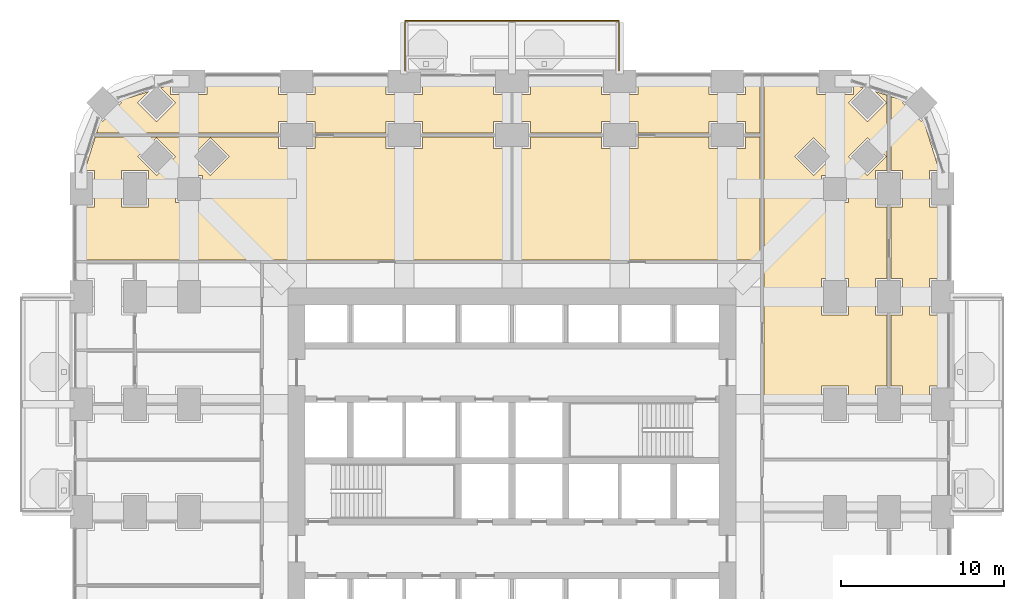
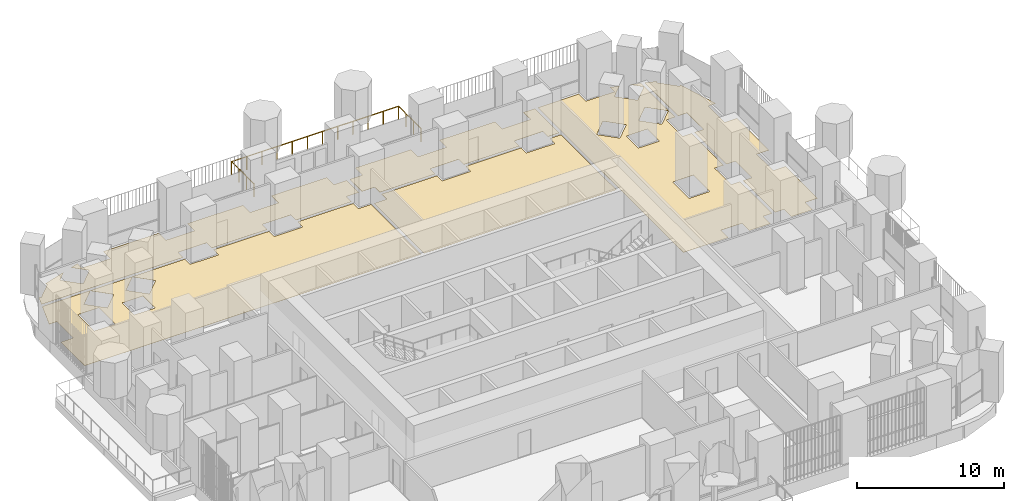
# One storey, part 23 of 24: 6 coverings, 1 railing.
"""IFC4 building model written with IfcOpenShell, lengths in metres."""

from ifc_helpers import new_model, si_unit, direction, frame, origin, place, context, subcontext, project, spatial, polyline, outline, extrude, material, layer, layer_set, type_object, element, save


model = new_model("IFC4")

# Units and contexts
model_context = context("Model", 3, precision=1e-05, world=origin(), true_north=direction((0.0, 1.0)))
body_context = subcontext(model_context, "Body", "Model", "MODEL_VIEW")
ifc_project = project(units=[si_unit("LENGTHUNIT", "METRE"), si_unit("AREAUNIT", "SQUARE_METRE"), si_unit("VOLUMEUNIT", "CUBIC_METRE"), si_unit("PLANEANGLEUNIT", "RADIAN"), si_unit("MASSUNIT", "GRAM", prefix="KILO")], contexts=[model_context])

# Site, building, storey
site_placement = place(None, origin())
site = spatial("IfcSite", under=ifc_project, at=site_placement, CompositionType="ELEMENT")
building_placement = place(site_placement, origin())
building = spatial("IfcBuilding", under=site, at=building_placement, Name="Cobogo Forest Laboratory Tower", CompositionType="ELEMENT")
storey_placement = place(building_placement, frame((0.0, 0.0, 17.10009765625)))
storey = spatial("IfcBuildingStorey", under=building, at=storey_placement, Name="L03", CompositionType="ELEMENT", Elevation=17.10009765625)

# Railing
ifc_material_1 = material(Name="Laminated glass balustrade", Category="glass")
railing_type = type_object("IfcRailingType", Name="BG1 glass balustrade 1100", PredefinedType="GUARDRAIL", material=ifc_material_1)
railing_placement = place(storey_placement, frame((19.85009765625, 46.85009765625, 0.0)))
element("IfcRailing", 1, at=railing_placement, inside=storey, type_object=railing_type, Name="Balcony balustrade BAL-N1 L03", PredefinedType="GUARDRAIL", context=body_context, shape_type="SweptSolid", body=[
    extrude(outline(polyline([(0.022216796875, 0.00927734375), (0.00927734375, 0.022216796875), (-0.00927734375, 0.022216796875), (-0.022216796875, 0.00927734375), (-0.022216796875, -0.00927734375), (-0.00927734375, -0.022216796875), (0.00927734375, -0.022216796875), (0.022216796875, -0.00927734375), (0.022216796875, 0.00927734375)])), frame((0.0, 0.0, 1.077880859375), z_axis=(0.0, 1.0, 0.0), x_axis=(-1.0, 0.0, 0.0)), (0.0, 0.0, 1.0), 3.0498046875),
    extrude(outline(polyline([(0.022216796875, 0.00927734375), (0.00927734375, 0.022216796875), (-0.00927734375, 0.022216796875), (-0.022216796875, 0.00927734375), (-0.022216796875, -0.00927734375), (-0.00927734375, -0.022216796875), (0.00927734375, -0.022216796875), (0.022216796875, -0.00927734375), (0.022216796875, 0.00927734375)])), frame((0.0, 3.0498046875, 1.077880859375), z_axis=(1.0, 0.0, 0.0), x_axis=(0.0, 1.0, 0.0)), (0.0, 0.0, 1.0), 13.099853515625),
    extrude(outline(polyline([(0.022216796875, 0.00927734375), (0.00927734375, 0.022216796875), (-0.00927734375, 0.022216796875), (-0.022216796875, 0.00927734375), (-0.022216796875, -0.00927734375), (-0.00927734375, -0.022216796875), (0.00927734375, -0.022216796875), (0.022216796875, -0.00927734375), (0.022216796875, 0.00927734375)])), frame((13.099853515625, 3.0498046875, 1.077880859375), z_axis=(0.0, -1.0, 0.0), x_axis=(1.0, 0.0, 0.0)), (0.0, 0.0, 1.0), 3.0498046875),
    extrude(outline(polyline([(0.019287109375, 0.008056640625), (0.008056640625, 0.019287109375), (-0.008056640625, 0.019287109375), (-0.019287109375, 0.008056640625), (-0.019287109375, -0.008056640625), (-0.008056640625, -0.019287109375), (0.008056640625, -0.019287109375), (0.019287109375, -0.008056640625), (0.019287109375, 0.008056640625)])), origin(), (0.0, 0.0, 1.0), 1.077880859375),
    extrude(outline(polyline([(0.019287109375, 0.008056640625), (0.008056640625, 0.019287109375), (-0.008056640625, 0.019287109375), (-0.019287109375, 0.008056640625), (-0.019287109375, -0.008056640625), (-0.008056640625, -0.019287109375), (0.008056640625, -0.019287109375), (0.019287109375, -0.008056640625), (0.019287109375, 0.008056640625)])), frame((0.0, 1.0166015625, 0.0)), (0.0, 0.0, 1.0), 1.077880859375),
    extrude(outline(polyline([(0.019287109375, 0.008056640625), (0.008056640625, 0.019287109375), (-0.008056640625, 0.019287109375), (-0.019287109375, 0.008056640625), (-0.019287109375, -0.008056640625), (-0.008056640625, -0.019287109375), (0.008056640625, -0.019287109375), (0.019287109375, -0.008056640625), (0.019287109375, 0.008056640625)])), frame((0.0, 2.033203125, 0.0)), (0.0, 0.0, 1.0), 1.077880859375),
    extrude(outline(polyline([(0.019287109375, 0.008056640625), (0.008056640625, 0.019287109375), (-0.008056640625, 0.019287109375), (-0.019287109375, 0.008056640625), (-0.019287109375, -0.008056640625), (-0.008056640625, -0.019287109375), (0.008056640625, -0.019287109375), (0.019287109375, -0.008056640625), (0.019287109375, 0.008056640625)])), frame((0.0, 3.0498046875, 0.0)), (0.0, 0.0, 1.0), 1.077880859375),
    extrude(outline(polyline([(0.019287109375, 0.008056640625), (0.008056640625, 0.019287109375), (-0.008056640625, 0.019287109375), (-0.019287109375, 0.008056640625), (-0.019287109375, -0.008056640625), (-0.008056640625, -0.019287109375), (0.008056640625, -0.019287109375), (0.019287109375, -0.008056640625), (0.019287109375, 0.008056640625)])), frame((1.19091796875, 3.0498046875, 0.0)), (0.0, 0.0, 1.0), 1.077880859375),
    extrude(outline(polyline([(0.019287109375, 0.008056640625), (0.008056640625, 0.019287109375), (-0.008056640625, 0.019287109375), (-0.019287109375, 0.008056640625), (-0.019287109375, -0.008056640625), (-0.008056640625, -0.019287109375), (0.008056640625, -0.019287109375), (0.019287109375, -0.008056640625), (0.019287109375, 0.008056640625)])), frame((2.3818359375, 3.0498046875, 0.0)), (0.0, 0.0, 1.0), 1.077880859375),
    extrude(outline(polyline([(0.019287109375, 0.008056640625), (0.008056640625, 0.019287109375), (-0.008056640625, 0.019287109375), (-0.019287109375, 0.008056640625), (-0.019287109375, -0.008056640625), (-0.008056640625, -0.019287109375), (0.008056640625, -0.019287109375), (0.019287109375, -0.008056640625), (0.019287109375, 0.008056640625)])), frame((3.57275390625, 3.0498046875, 0.0)), (0.0, 0.0, 1.0), 1.077880859375),
    extrude(outline(polyline([(0.019287109375, 0.008056640625), (0.008056640625, 0.019287109375), (-0.008056640625, 0.019287109375), (-0.019287109375, 0.008056640625), (-0.019287109375, -0.008056640625), (-0.008056640625, -0.019287109375), (0.008056640625, -0.019287109375), (0.019287109375, -0.008056640625), (0.019287109375, 0.008056640625)])), frame((4.763671875, 3.0498046875, 0.0)), (0.0, 0.0, 1.0), 1.077880859375),
    extrude(outline(polyline([(0.019287109375, 0.008056640625), (0.008056640625, 0.019287109375), (-0.008056640625, 0.019287109375), (-0.019287109375, 0.008056640625), (-0.019287109375, -0.008056640625), (-0.008056640625, -0.019287109375), (0.008056640625, -0.019287109375), (0.019287109375, -0.008056640625), (0.019287109375, 0.008056640625)])), frame((5.95458984375, 3.0498046875, 0.0)), (0.0, 0.0, 1.0), 1.077880859375),
    extrude(outline(polyline([(0.019287109375, 0.008056640625), (0.008056640625, 0.019287109375), (-0.008056640625, 0.019287109375), (-0.019287109375, 0.008056640625), (-0.019287109375, -0.008056640625), (-0.008056640625, -0.019287109375), (0.008056640625, -0.019287109375), (0.019287109375, -0.008056640625), (0.019287109375, 0.008056640625)])), frame((7.145263671875, 3.0498046875, 0.0)), (0.0, 0.0, 1.0), 1.077880859375),
    extrude(outline(polyline([(0.019287109375, 0.008056640625), (0.008056640625, 0.019287109375), (-0.008056640625, 0.019287109375), (-0.019287109375, 0.008056640625), (-0.019287109375, -0.008056640625), (-0.008056640625, -0.019287109375), (0.008056640625, -0.019287109375), (0.019287109375, -0.008056640625), (0.019287109375, 0.008056640625)])), frame((8.336181640625, 3.0498046875, 0.0)), (0.0, 0.0, 1.0), 1.077880859375),
    extrude(outline(polyline([(0.019287109375, 0.008056640625), (0.008056640625, 0.019287109375), (-0.008056640625, 0.019287109375), (-0.019287109375, 0.008056640625), (-0.019287109375, -0.008056640625), (-0.008056640625, -0.019287109375), (0.008056640625, -0.019287109375), (0.019287109375, -0.008056640625), (0.019287109375, 0.008056640625)])), frame((9.527099609375, 3.0498046875, 0.0)), (0.0, 0.0, 1.0), 1.077880859375),
    extrude(outline(polyline([(0.019287109375, 0.008056640625), (0.008056640625, 0.019287109375), (-0.008056640625, 0.019287109375), (-0.019287109375, 0.008056640625), (-0.019287109375, -0.008056640625), (-0.008056640625, -0.019287109375), (0.008056640625, -0.019287109375), (0.019287109375, -0.008056640625), (0.019287109375, 0.008056640625)])), frame((10.718017578125, 3.0498046875, 0.0)), (0.0, 0.0, 1.0), 1.077880859375),
    extrude(outline(polyline([(0.019287109375, 0.008056640625), (0.008056640625, 0.019287109375), (-0.008056640625, 0.019287109375), (-0.019287109375, 0.008056640625), (-0.019287109375, -0.008056640625), (-0.008056640625, -0.019287109375), (0.008056640625, -0.019287109375), (0.019287109375, -0.008056640625), (0.019287109375, 0.008056640625)])), frame((11.908935546875, 3.0498046875, 0.0)), (0.0, 0.0, 1.0), 1.077880859375),
    extrude(outline(polyline([(0.019287109375, 0.008056640625), (0.008056640625, 0.019287109375), (-0.008056640625, 0.019287109375), (-0.019287109375, 0.008056640625), (-0.019287109375, -0.008056640625), (-0.008056640625, -0.019287109375), (0.008056640625, -0.019287109375), (0.019287109375, -0.008056640625), (0.019287109375, 0.008056640625)])), frame((13.099853515625, 3.0498046875, 0.0)), (0.0, 0.0, 1.0), 1.077880859375),
    extrude(outline(polyline([(0.019287109375, 0.008056640625), (0.008056640625, 0.019287109375), (-0.008056640625, 0.019287109375), (-0.019287109375, 0.008056640625), (-0.019287109375, -0.008056640625), (-0.008056640625, -0.019287109375), (0.008056640625, -0.019287109375), (0.019287109375, -0.008056640625), (0.019287109375, 0.008056640625)])), frame((13.099853515625, 2.033203125, 0.0)), (0.0, 0.0, 1.0), 1.077880859375),
    extrude(outline(polyline([(0.019287109375, 0.008056640625), (0.008056640625, 0.019287109375), (-0.008056640625, 0.019287109375), (-0.019287109375, 0.008056640625), (-0.019287109375, -0.008056640625), (-0.008056640625, -0.019287109375), (0.008056640625, -0.019287109375), (0.019287109375, -0.008056640625), (0.019287109375, 0.008056640625)])), frame((13.099853515625, 1.0166015625, 0.0)), (0.0, 0.0, 1.0), 1.077880859375),
    extrude(outline(polyline([(0.019287109375, 0.008056640625), (0.008056640625, 0.019287109375), (-0.008056640625, 0.019287109375), (-0.019287109375, 0.008056640625), (-0.019287109375, -0.008056640625), (-0.008056640625, -0.019287109375), (0.008056640625, -0.019287109375), (0.019287109375, -0.008056640625), (0.019287109375, 0.008056640625)])), frame((13.099853515625, 0.0, 0.0)), (0.0, 0.0, 1.0), 1.077880859375),
])

# Coverings
ifc_material_2 = material(Name="Carpet tile on raised access floor", Category="flooring")
ifc_layer_1 = layer(ifc_material_2, 0.008056640625)
ifc_layer_set_1 = layer_set([ifc_layer_1], Name="CT1 carpet tile floor 8")
covering_type_1 = type_object("IfcCoveringType", Name="CT1 carpet tile floor 8", PredefinedType="FLOORING", material=ifc_layer_set_1)
covering_1_placement = place(storey_placement, origin())
element("IfcCovering", 2, at=covering_1_placement, inside=storey, type_object=covering_type_1, Name="Carpet floor L03-14", PredefinedType="FLOORING", context=body_context, shape_type="SweptSolid", body=[
    extrude(outline(polyline([(49.6201171875, 31.8798828125), (50.320068359375, 31.8798828125), (50.320068359375, 34.1201171875), (49.6201171875, 34.1201171875), (49.6201171875, 38.47998046875), (50.320068359375, 38.47998046875), (50.320068359375, 40.719970703125), (49.6201171875, 40.719970703125), (49.6201171875, 45.26025390625), (50.441162109375, 45.0009765625), (50.322265625, 44.882080078125), (51.48193359375, 43.722412109375), (51.600830078125, 43.84130859375), (52.586669921875, 40.719970703125), (51.97998046875, 40.719970703125), (51.97998046875, 38.47998046875), (52.949951171875, 38.47998046875), (52.949951171875, 34.1201171875), (51.97998046875, 34.1201171875), (51.97998046875, 31.8798828125), (52.949951171875, 31.8798828125), (52.949951171875, 27.52001953125), (51.97998046875, 27.52001953125), (51.97998046875, 26.52001953125), (50.320068359375, 26.52001953125), (50.320068359375, 27.52001953125), (49.6201171875, 27.52001953125), (49.6201171875, 31.8798828125)])), origin(), (0.0, 0.0, 1.0), 0.0078125),
])
covering_2_placement = place(storey_placement, origin())
element("IfcCovering", 3, at=covering_2_placement, inside=storey, type_object=covering_type_1, Name="Carpet floor L03-16", PredefinedType="FLOORING", context=body_context, shape_type="SweptSolid", body=[
    extrude(outline(polyline([(20.919921875, 43.02001953125), (20.919921875, 43.719970703125), (18.679931640625, 43.719970703125), (18.679931640625, 43.02001953125), (14.320068359375, 43.02001953125), (14.320068359375, 43.719970703125), (12.080078125, 43.719970703125), (12.080078125, 43.02001953125), (0.939697265625, 43.02001953125), (1.19921875, 43.84130859375), (1.318115234375, 43.722412109375), (2.477783203125, 44.882080078125), (2.358642578125, 45.0009765625), (4.1396484375, 45.563232421875), (3.458251953125, 44.882080078125), (4.617919921875, 43.722412109375), (5.777587890625, 44.882080078125), (4.86669921875, 45.79296875), (5.47998046875, 45.986572265625), (5.47998046875, 45.3798828125), (7.719970703125, 45.3798828125), (7.719970703125, 46.35009765625), (12.080078125, 46.35009765625), (12.080078125, 45.3798828125), (14.320068359375, 45.3798828125), (14.320068359375, 46.35009765625), (18.679931640625, 46.35009765625), (18.679931640625, 45.3798828125), (20.919921875, 45.3798828125), (20.919921875, 46.35009765625), (25.280029296875, 46.35009765625), (25.280029296875, 45.3798828125), (26.280029296875, 45.3798828125), (26.280029296875, 43.719970703125), (25.280029296875, 43.719970703125), (25.280029296875, 43.02001953125), (20.919921875, 43.02001953125)])), origin(), (0.0, 0.0, 1.0), 0.0078125),
])
covering_3_placement = place(storey_placement, origin())
element("IfcCovering", 4, at=covering_3_placement, inside=storey, type_object=covering_type_1, Name="Carpet floor L03-18", PredefinedType="FLOORING", context=body_context, shape_type="SweptSolid", body=[
    extrude(outline(polyline([(40.719970703125, 43.02001953125), (40.719970703125, 43.719970703125), (38.47998046875, 43.719970703125), (38.47998046875, 43.02001953125), (34.1201171875, 43.02001953125), (34.1201171875, 43.719970703125), (31.8798828125, 43.719970703125), (31.8798828125, 43.02001953125), (27.52001953125, 43.02001953125), (27.52001953125, 43.719970703125), (26.52001953125, 43.719970703125), (26.52001953125, 45.3798828125), (27.52001953125, 45.3798828125), (27.52001953125, 46.35009765625), (31.8798828125, 46.35009765625), (31.8798828125, 45.3798828125), (34.1201171875, 45.3798828125), (34.1201171875, 46.35009765625), (38.47998046875, 46.35009765625), (38.47998046875, 45.3798828125), (40.719970703125, 45.3798828125), (40.719970703125, 46.35009765625), (41.60498046875, 46.35009765625), (41.60498046875, 43.02001953125), (40.719970703125, 43.02001953125)])), origin(), (0.0, 0.0, 1.0), 0.0078125),
])
ifc_material_3 = material(Name="Epoxy resin flooring", Category="flooring")
ifc_layer_2 = layer(ifc_material_3, 0.00390625)
ifc_layer_set_2 = layer_set([ifc_layer_2], Name="LF1 epoxy laboratory floor 4")
covering_type_2 = type_object("IfcCoveringType", Name="LF1 epoxy laboratory floor 4", PredefinedType="FLOORING", material=ifc_layer_set_2)
covering_4_placement = place(storey_placement, origin())
element("IfcCovering", 5, at=covering_4_placement, inside=storey, type_object=covering_type_2, Name="Epoxy laboratory floor L03-13", PredefinedType="FLOORING", context=body_context, shape_type="SweptSolid", body=[
    extrude(outline(polyline([(47.02001953125, 26.52001953125), (47.02001953125, 27.52001953125), (45.3798828125, 27.52001953125), (45.3798828125, 26.52001953125), (41.844970703125, 26.52001953125), (41.844970703125, 46.35009765625), (45.080078125, 46.35009765625), (45.080078125, 45.3798828125), (47.320068359375, 45.3798828125), (47.320068359375, 45.986572265625), (47.933349609375, 45.79296875), (47.022216796875, 44.882080078125), (48.181884765625, 43.722412109375), (49.341552734375, 44.882080078125), (48.660400390625, 45.563232421875), (49.3798828125, 45.3359375), (49.3798828125, 40.719970703125), (48.679931640625, 40.719970703125), (48.679931640625, 38.47998046875), (49.3798828125, 38.47998046875), (49.3798828125, 34.1201171875), (48.679931640625, 34.1201171875), (48.679931640625, 31.8798828125), (49.3798828125, 31.8798828125), (49.3798828125, 27.52001953125), (48.679931640625, 27.52001953125), (48.679931640625, 26.52001953125), (47.02001953125, 26.52001953125)]), holes=[polyline([(47.022216796875, 41.58203125), (48.181884765625, 40.42236328125), (49.341552734375, 41.58203125), (48.181884765625, 42.74169921875), (47.022216796875, 41.58203125)]), polyline([(45.3798828125, 31.8798828125), (47.02001953125, 31.8798828125), (47.02001953125, 34.1201171875), (45.3798828125, 34.1201171875), (45.3798828125, 31.8798828125)]), polyline([(47.02001953125, 40.419921875), (45.3798828125, 40.419921875), (45.3798828125, 38.780029296875), (47.02001953125, 38.780029296875), (47.02001953125, 40.419921875)]), polyline([(43.722412109375, 41.58203125), (44.882080078125, 40.42236328125), (46.041748046875, 41.58203125), (44.882080078125, 42.74169921875), (43.722412109375, 41.58203125)])]), origin(), (0.0, 0.0, 1.0), 0.00390625),
])
covering_5_placement = place(storey_placement, origin())
element("IfcCovering", 6, at=covering_5_placement, inside=storey, type_object=covering_type_2, Name="Epoxy laboratory floor L03-17", PredefinedType="FLOORING", context=body_context, shape_type="SweptSolid", body=[
    extrude(outline(polyline([(26.52001953125, 42.080078125), (27.52001953125, 42.080078125), (27.52001953125, 42.780029296875), (31.8798828125, 42.780029296875), (31.8798828125, 42.080078125), (34.1201171875, 42.080078125), (34.1201171875, 42.780029296875), (38.47998046875, 42.780029296875), (38.47998046875, 42.080078125), (40.719970703125, 42.080078125), (40.719970703125, 42.780029296875), (41.60498046875, 42.780029296875), (41.60498046875, 35.2451171875), (26.52001953125, 35.2451171875), (26.52001953125, 42.080078125)])), origin(), (0.0, 0.0, 1.0), 0.00390625),
])
ifc_material_4 = material(Name="Ceramic floor tile", Category="flooring")
ifc_layer_3 = layer(ifc_material_4, 0.010009765625)
ifc_layer_set_3 = layer_set([ifc_layer_3], Name="TF1 ceramic tile floor 10")
covering_type_3 = type_object("IfcCoveringType", Name="TF1 ceramic tile floor 10", PredefinedType="FLOORING", material=ifc_layer_set_3)
covering_6_placement = place(storey_placement, origin())
element("IfcCovering", 7, at=covering_6_placement, inside=storey, type_object=covering_type_3, Name="Tile floor L03-15", PredefinedType="FLOORING", context=body_context, shape_type="SweptSolid", body=[
    extrude(outline(polyline([(26.280029296875, 35.2451171875), (-0.14990234375, 35.2451171875), (-0.14990234375, 38.47998046875), (0.820068359375, 38.47998046875), (0.820068359375, 40.719970703125), (0.21337890625, 40.719970703125), (0.864013671875, 42.780029296875), (12.080078125, 42.780029296875), (12.080078125, 42.080078125), (14.320068359375, 42.080078125), (14.320068359375, 42.780029296875), (18.679931640625, 42.780029296875), (18.679931640625, 42.080078125), (20.919921875, 42.080078125), (20.919921875, 42.780029296875), (25.280029296875, 42.780029296875), (25.280029296875, 42.080078125), (26.280029296875, 42.080078125), (26.280029296875, 35.2451171875)]), holes=[polyline([(6.75830078125, 41.58203125), (7.91796875, 40.42236328125), (9.07763671875, 41.58203125), (7.91796875, 42.74169921875), (6.75830078125, 41.58203125)]), polyline([(5.780029296875, 40.419921875), (5.780029296875, 38.780029296875), (7.419921875, 38.780029296875), (7.419921875, 40.419921875), (5.780029296875, 40.419921875)]), polyline([(3.458251953125, 41.58203125), (4.617919921875, 40.42236328125), (5.777587890625, 41.58203125), (4.617919921875, 42.74169921875), (3.458251953125, 41.58203125)]), polyline([(2.47998046875, 38.47998046875), (4.1201171875, 38.47998046875), (4.1201171875, 40.719970703125), (2.47998046875, 40.719970703125), (2.47998046875, 38.47998046875)])]), origin(), (0.0, 0.0, 1.0), 0.010009765625),
])

save(model, "model.ifc")
